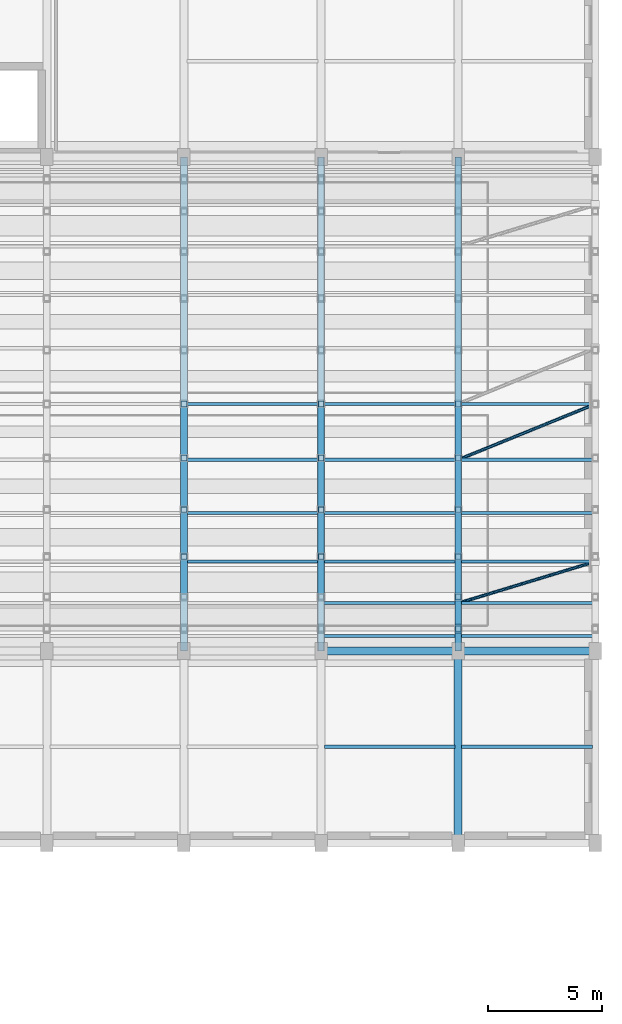
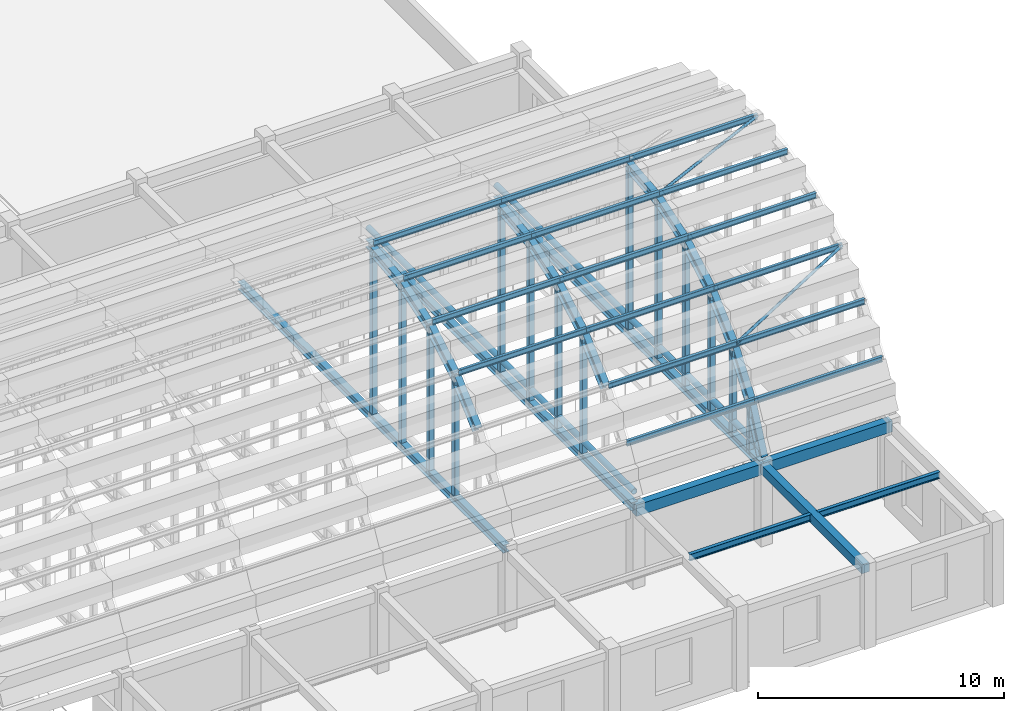
# One storey, part 8 of 46: 34 members, 22 beams.
"""IFC4 building model written with IfcOpenShell, lengths in metres."""

from ifc_helpers import new_model, si_unit, direction, frame, origin, origin_2d, place, context, subcontext, project, spatial, rectangle, hollow_rectangle, hollow_circle, i_section, extrude, material, material_profile, profile_set, type_object, element, save


model = new_model("IFC4")

# Units and contexts
model_context = context("Model", 3, precision=1e-05, world=origin(), true_north=direction((0.0, 1.0)))
body_context = subcontext(model_context, "Body", "Model", "MODEL_VIEW")
ifc_project = project(units=[si_unit("LENGTHUNIT", "METRE"), si_unit("AREAUNIT", "SQUARE_METRE"), si_unit("VOLUMEUNIT", "CUBIC_METRE"), si_unit("PLANEANGLEUNIT", "RADIAN"), si_unit("MASSUNIT", "GRAM", prefix="KILO")], contexts=[model_context])

# Site, building, storey
site_placement = place(None, origin())
site = spatial("IfcSite", under=ifc_project, at=site_placement, CompositionType="ELEMENT")
building_placement = place(site_placement, origin())
building = spatial("IfcBuilding", under=site, at=building_placement, Name="Tarnavel Promenade Courthouse", CompositionType="ELEMENT")
storey_placement = place(building_placement, frame((0.0, 0.0, 14.39990234375)))
storey = spatial("IfcBuildingStorey", under=building, at=storey_placement, Name="L04", CompositionType="ELEMENT", Elevation=14.39990234375)

# Beams
ifc_material_1 = material(Name="Concrete C40/50", Category="concrete")
ifc_material_profile_1 = material_profile(ifc_material_1, rectangle(XDim=0.35009765625, YDim=0.449951171875, at=origin_2d()), Name="RC 350x450")
ifc_profile_set_1 = profile_set([ifc_material_profile_1], Name="Concrete C40/50")
beam_type_1 = type_object("IfcBeamType", Name="Concrete C40/50 BM-RC-350x450 (RC 350x450)", PredefinedType="BEAM", material=ifc_profile_set_1)
beam_1_placement = place(storey_placement, frame((156.0, 28.800048828125, 3.72998046875), z_axis=(0.0, 1.0, 0.0), x_axis=(-1.0, 0.0, 0.0)))
element("IfcBeam", 1, at=beam_1_placement, inside=storey, type_object=beam_type_1, Name="L04 Transverse Girder 2129", PredefinedType="BEAM", context=body_context, shape_type="SweptSolid", body=[
    extrude(rectangle(XDim=0.35009765625, YDim=0.449951171875, at=origin_2d()), origin(), (0.0, 0.0, 1.0), 8.39990234375),
])
ifc_material_profile_2 = material_profile(ifc_material_1, rectangle(XDim=0.35009765625, YDim=0.550048828125, at=origin_2d()), Name="RC 350x550")
ifc_profile_set_2 = profile_set([ifc_material_profile_2], Name="Concrete C40/50")
beam_type_2 = type_object("IfcBeamType", Name="Concrete C40/50 BM-RC-350x550 (RC 350x550)", PredefinedType="BEAM", material=ifc_profile_set_2)
for number, where, z_axis, x_axis, name in (
    (2, (150.0, 37.199951171875, 3.68017578125), (1.0, 0.0, 0.0), (0.0, 1.0, 0.0), "L04 Primary Longitudinal Beam 1996"),
    (3, (156.0, 37.199951171875, 3.68017578125), (1.0, 0.0, 0.0), (0.0, 1.0, 0.0), "L04 Primary Longitudinal Beam 1997"),
):
    element("IfcBeam", number, at=place(storey_placement, frame(where, z_axis=z_axis, x_axis=x_axis)), inside=storey, type_object=beam_type_2, Name=name, PredefinedType="BEAM", context=body_context, shape_type="SweptSolid", body=[
        extrude(rectangle(XDim=0.35009765625, YDim=0.550048828125, at=origin_2d()), origin(), (0.0, 0.0, 1.0), 6.0),
    ])
ifc_material_2 = material(Name="Steel S355J2", Category="steel")
ifc_material_profile_3 = material_profile(ifc_material_2, i_section(OverallWidth=0.300048828125, OverallDepth=0.449951171875, WebThickness=0.013916015625, FlangeThickness=0.02587890625, FilletRadius=0.027099609375, at=origin_2d()), Name="HEB 450")
ifc_profile_set_3 = profile_set([ifc_material_profile_3], Name="Steel S355J2")
beam_type_3 = type_object("IfcBeamType", Name="Steel S355J2 BM-AR-HEB450 (HEB 450)", PredefinedType="T_BEAM", material=ifc_profile_set_3)
for number, where, z_axis, x_axis, name in (
    (4, (144.0, 39.56005859375, 8.291015625), (0.0, 0.742956629711, 0.669339559842), (-1.0, 0.0, 0.0), "V1 Barrel Vault Arch Rib 05 Chord 03"),
    (5, (144.0, 41.32421875, 9.88037109375), (0.0, 0.86595611672, 0.500119989518), (-1.0, 0.0, 0.0), "V1 Barrel Vault Arch Rib 05 Chord 04"),
    (6, (144.0, 43.38037109375, 11.06787109375), (0.0, 0.951041624123, 0.309062824012), (-1.0, 0.0, 0.0), "V1 Barrel Vault Arch Rib 05 Chord 05"),
):
    element("IfcBeam", number, at=place(storey_placement, frame(where, z_axis=z_axis, x_axis=x_axis)), inside=storey, type_object=beam_type_3, Name=name, PredefinedType="T_BEAM", context=body_context, shape_type="SweptSolid", body=[
        extrude(i_section(OverallWidth=0.300048828125, OverallDepth=0.449951171875, WebThickness=0.013916015625, FlangeThickness=0.02587890625, FilletRadius=0.027099609375, at=origin_2d()), origin(), (0.0, 0.0, 1.0), 2.37451171875),
    ])
beam_2_placement = place(storey_placement, frame((144.0, 45.638671875, 11.8017578125), z_axis=(0.0, 0.994517278414, 0.104572381322), x_axis=(-1.0, 0.0, 0.0)))
element("IfcBeam", 7, at=beam_2_placement, inside=storey, type_object=beam_type_3, Name="V1 Barrel Vault Arch Rib 05 Chord 06", PredefinedType="T_BEAM", context=body_context, shape_type="SweptSolid", body=[
    extrude(i_section(OverallWidth=0.300048828125, OverallDepth=0.449951171875, WebThickness=0.013916015625, FlangeThickness=0.02587890625, FilletRadius=0.027099609375, at=origin_2d()), origin(), (0.0, 0.0, 1.0), 2.374267578125),
])
for number, where, z_axis, x_axis, name in (
    (8, (150.0, 39.56005859375, 8.291015625), (0.0, 0.742956629711, 0.669339559842), (-1.0, 0.0, 0.0), "V1 Barrel Vault Arch Rib 06 Chord 03"),
    (9, (150.0, 41.32421875, 9.88037109375), (0.0, 0.86595611672, 0.500119989518), (-1.0, 0.0, 0.0), "V1 Barrel Vault Arch Rib 06 Chord 04"),
    (10, (150.0, 43.38037109375, 11.06787109375), (0.0, 0.951041624123, 0.309062824012), (-1.0, 0.0, 0.0), "V1 Barrel Vault Arch Rib 06 Chord 05"),
):
    element("IfcBeam", number, at=place(storey_placement, frame(where, z_axis=z_axis, x_axis=x_axis)), inside=storey, type_object=beam_type_3, Name=name, PredefinedType="T_BEAM", context=body_context, shape_type="SweptSolid", body=[
        extrude(i_section(OverallWidth=0.300048828125, OverallDepth=0.449951171875, WebThickness=0.013916015625, FlangeThickness=0.02587890625, FilletRadius=0.027099609375, at=origin_2d()), origin(), (0.0, 0.0, 1.0), 2.37451171875),
    ])
beam_3_placement = place(storey_placement, frame((150.0, 45.638671875, 11.8017578125), z_axis=(0.0, 0.994517278414, 0.104572381322), x_axis=(-1.0, 0.0, 0.0)))
element("IfcBeam", 11, at=beam_3_placement, inside=storey, type_object=beam_type_3, Name="V1 Barrel Vault Arch Rib 06 Chord 06", PredefinedType="T_BEAM", context=body_context, shape_type="SweptSolid", body=[
    extrude(i_section(OverallWidth=0.300048828125, OverallDepth=0.449951171875, WebThickness=0.013916015625, FlangeThickness=0.02587890625, FilletRadius=0.027099609375, at=origin_2d()), origin(), (0.0, 0.0, 1.0), 2.374267578125),
])
for number, where, z_axis, x_axis, name in (
    (12, (156.0, 37.199951171875, 4.2001953125), (0.0, 0.406453266448, 0.91367157239), (-1.0, 0.0, 0.0), "V1 Barrel Vault Arch Rib 07 Chord 01"),
    (13, (156.0, 38.1650390625, 6.36962890625), (0.0, 0.587523453946, 0.809207137304), (-1.0, 0.0, 0.0), "V1 Barrel Vault Arch Rib 07 Chord 02"),
    (14, (156.0, 39.56005859375, 8.291015625), (0.0, 0.742956629711, 0.669339559842), (-1.0, 0.0, 0.0), "V1 Barrel Vault Arch Rib 07 Chord 03"),
    (15, (156.0, 41.32421875, 9.88037109375), (0.0, 0.86595611672, 0.500119989518), (-1.0, 0.0, 0.0), "V1 Barrel Vault Arch Rib 07 Chord 04"),
    (16, (156.0, 43.38037109375, 11.06787109375), (0.0, 0.951041624123, 0.309062824012), (-1.0, 0.0, 0.0), "V1 Barrel Vault Arch Rib 07 Chord 05"),
):
    element("IfcBeam", number, at=place(storey_placement, frame(where, z_axis=z_axis, x_axis=x_axis)), inside=storey, type_object=beam_type_3, Name=name, PredefinedType="T_BEAM", context=body_context, shape_type="SweptSolid", body=[
        extrude(i_section(OverallWidth=0.300048828125, OverallDepth=0.449951171875, WebThickness=0.013916015625, FlangeThickness=0.02587890625, FilletRadius=0.027099609375, at=origin_2d()), origin(), (0.0, 0.0, 1.0), 2.37451171875),
    ])
beam_4_placement = place(storey_placement, frame((156.0, 45.638671875, 11.8017578125), z_axis=(0.0, 0.994517278414, 0.104572381322), x_axis=(-1.0, 0.0, 0.0)))
element("IfcBeam", 17, at=beam_4_placement, inside=storey, type_object=beam_type_3, Name="V1 Barrel Vault Arch Rib 07 Chord 06", PredefinedType="T_BEAM", context=body_context, shape_type="SweptSolid", body=[
    extrude(i_section(OverallWidth=0.300048828125, OverallDepth=0.449951171875, WebThickness=0.013916015625, FlangeThickness=0.02587890625, FilletRadius=0.027099609375, at=origin_2d()), origin(), (0.0, 0.0, 1.0), 2.374267578125),
])
ifc_material_profile_4 = material_profile(ifc_material_2, i_section(OverallWidth=0.300048828125, OverallDepth=0.39990234375, WebThickness=0.013427734375, FlangeThickness=0.02392578125, FilletRadius=0.027099609375, at=origin_2d()), Name="HEB 400")
ifc_profile_set_4 = profile_set([ifc_material_profile_4], Name="Steel S355J2")
beam_type_4 = type_object("IfcBeamType", Name="Steel S355J2 BM-ST-HEB400 (HEB 400)", PredefinedType="T_BEAM", material=ifc_profile_set_4)
for number, where, z_axis, x_axis, name in (
    (18, (144.0, 37.199951171875, 3.820068359375), (0.0, 1.0, 0.0), (-1.0, 0.0, 0.0), "V1 Barrel Vault Tie Girder 05"),
    (19, (150.0, 37.199951171875, 3.820068359375), (0.0, 1.0, 0.0), (-1.0, 0.0, 0.0), "V1 Barrel Vault Tie Girder 06"),
    (20, (156.0, 37.199951171875, 3.820068359375), (0.0, 1.0, 0.0), (-1.0, 0.0, 0.0), "V1 Barrel Vault Tie Girder 07"),
):
    element("IfcBeam", number, at=place(storey_placement, frame(where, z_axis=z_axis, x_axis=x_axis)), inside=storey, type_object=beam_type_4, Name=name, PredefinedType="T_BEAM", context=body_context, shape_type="SweptSolid", body=[
        extrude(i_section(OverallWidth=0.300048828125, OverallDepth=0.39990234375, WebThickness=0.013427734375, FlangeThickness=0.02392578125, FilletRadius=0.027099609375, at=origin_2d()), origin(), (0.0, 0.0, 1.0), 21.60009765625),
    ])
ifc_material_profile_5 = material_profile(ifc_material_2, i_section(OverallWidth=0.159912109375, OverallDepth=0.330078125, WebThickness=0.007568359375, FlangeThickness=0.011474609375, FilletRadius=0.01806640625, at=origin_2d()), Name="IPE 330")
ifc_profile_set_5 = profile_set([ifc_material_profile_5], Name="Steel S355J2")
beam_type_5 = type_object("IfcBeamType", Name="Steel S355J2 BM-ST-IPE330 (IPE 330)", PredefinedType="JOIST", material=ifc_profile_set_5)
beam_5_placement = place(storey_placement, frame((150.14501953125, 33.0, 3.7900390625), z_axis=(1.0, 0.0, 0.0), x_axis=(0.0, 1.0, 0.0)))
element("IfcBeam", 21, at=beam_5_placement, inside=storey, type_object=beam_type_5, Name="L04 Secondary Floor Rib 2199", PredefinedType="JOIST", context=body_context, shape_type="SweptSolid", body=[
    extrude(i_section(OverallWidth=0.159912109375, OverallDepth=0.330078125, WebThickness=0.007568359375, FlangeThickness=0.011474609375, FilletRadius=0.01806640625, at=origin_2d()), origin(), (0.0, 0.0, 1.0), 5.7099609375),
])
beam_6_placement = place(storey_placement, frame((156.14501953125, 33.0, 3.7900390625), z_axis=(1.0, 0.0, 0.0), x_axis=(0.0, 1.0, 0.0)))
element("IfcBeam", 22, at=beam_6_placement, inside=storey, type_object=beam_type_5, Name="L04 Secondary Floor Rib 2200", PredefinedType="JOIST", context=body_context, shape_type="SweptSolid", body=[
    extrude(i_section(OverallWidth=0.159912109375, OverallDepth=0.330078125, WebThickness=0.007568359375, FlangeThickness=0.011474609375, FilletRadius=0.01806640625, at=origin_2d()), origin(), (0.0, 0.0, 1.0), 5.73486328125),
])

# Members
ifc_material_profile_6 = material_profile(ifc_material_2, hollow_circle(Radius=0.06982421875, WallThickness=0.008056640625, at=origin_2d()), Name="CHS 139.7x8")
ifc_profile_set_6 = profile_set([ifc_material_profile_6], Name="Steel S355J2")
member_type_1 = type_object("IfcMemberType", Name="Steel S355J2 MEM-BR-CHS140 (CHS 139.7x8)", PredefinedType="BRACE", material=ifc_profile_set_6)
member_1_placement = place(storey_placement, frame((156.0, 39.284912109375, 8.53857421875), z_axis=(0.925695313139, 0.281068458115, 0.253157478825), x_axis=(-0.290532531252, 0.95686511499, 0.0)))
element("IfcMember", 23, at=member_1_placement, inside=storey, type_object=member_type_1, Name="V1 Barrel Vault Roof Brace 07-02", PredefinedType="BRACE", context=body_context, shape_type="SweptSolid", body=[
    extrude(hollow_circle(Radius=0.06982421875, WallThickness=0.008056640625, at=origin_2d()), origin(), (0.0, 0.0, 1.0), 6.481689453125),
])
member_2_placement = place(storey_placement, frame((156.16650390625, 45.62939453125, 12.1708984375), z_axis=(0.925700122117, 0.376184321828, 0.039555529618), x_axis=(-0.376478964134, 0.926425166737, 0.0)))
element("IfcMember", 24, at=member_2_placement, inside=storey, type_object=member_type_1, Name="V1 Barrel Vault Roof Brace 07-05", PredefinedType="BRACE", context=body_context, shape_type="SweptSolid", body=[
    extrude(hollow_circle(Radius=0.06982421875, WallThickness=0.008056640625, at=origin_2d()), origin(), (0.0, 0.0, 1.0), 6.3017578125),
])
ifc_material_profile_7 = material_profile(ifc_material_2, i_section(OverallWidth=0.135009765625, OverallDepth=0.27001953125, WebThickness=0.006591796875, FlangeThickness=0.01025390625, FilletRadius=0.014892578125, at=origin_2d()), Name="IPE 270")
ifc_profile_set_7 = profile_set([ifc_material_profile_7], Name="Steel S355J2")
member_type_2 = type_object("IfcMemberType", Name="Steel S355J2 MEM-PUR-IPE270 (IPE 270)", PredefinedType="PURLIN", material=ifc_profile_set_7)
for number, where, z_axis, x_axis, name in (
    (25, (144.0, 41.106689453125, 10.179443359375), (1.0, 0.0, 0.0), (0.0, 1.0, 0.0), "V1 Barrel Vault Purlin 05-03"),
    (26, (144.0, 43.229736328125, 11.40576171875), (1.0, 0.0, 0.0), (0.0, 1.0, 0.0), "V1 Barrel Vault Purlin 05-04"),
    (27, (144.0, 45.5615234375, 12.163818359375), (1.0, 0.0, 0.0), (0.0, 1.0, 0.0), "V1 Barrel Vault Purlin 05-05"),
    (28, (144.0, 48.0, 12.420166015625), (1.0, 0.0, 0.0), (0.0, 1.0, 0.0), "V1 Barrel Vault Purlin 05-06"),
    (29, (150.0, 37.844482421875, 6.554443359375), (1.0, 0.0, 0.0), (0.0, 1.0, 0.0), "V1 Barrel Vault Purlin 06-01"),
    (30, (150.0, 39.284912109375, 8.53857421875), (1.0, 0.0, 0.0), (0.0, 1.0, 0.0), "V1 Barrel Vault Purlin 06-02"),
    (31, (150.0, 41.106689453125, 10.179443359375), (1.0, 0.0, 0.0), (0.0, 1.0, 0.0), "V1 Barrel Vault Purlin 06-03"),
    (32, (150.0, 43.229736328125, 11.40576171875), (1.0, 0.0, 0.0), (0.0, 1.0, 0.0), "V1 Barrel Vault Purlin 06-04"),
    (33, (150.0, 45.5615234375, 12.163818359375), (1.0, 0.0, 0.0), (0.0, 1.0, 0.0), "V1 Barrel Vault Purlin 06-05"),
    (34, (150.0, 48.0, 12.420166015625), (1.0, 0.0, 0.0), (0.0, 1.0, 0.0), "V1 Barrel Vault Purlin 06-06"),
    (35, (156.0, 37.844482421875, 6.554443359375), (1.0, 0.0, 0.0), (0.0, 1.0, 0.0), "V1 Barrel Vault Purlin 07-01"),
    (36, (156.0, 39.284912109375, 8.53857421875), (1.0, 0.0, 0.0), (0.0, 1.0, 0.0), "V1 Barrel Vault Purlin 07-02"),
    (37, (156.0, 41.106689453125, 10.179443359375), (1.0, 0.0, 0.0), (0.0, 1.0, 0.0), "V1 Barrel Vault Purlin 07-03"),
    (38, (156.0, 43.229736328125, 11.40576171875), (1.0, 0.0, 0.0), (0.0, 1.0, 0.0), "V1 Barrel Vault Purlin 07-04"),
    (39, (156.0, 45.5615234375, 12.163818359375), (1.0, 0.0, 0.0), (0.0, 1.0, 0.0), "V1 Barrel Vault Purlin 07-05"),
    (40, (156.0, 48.0, 12.420166015625), (1.0, 0.0, 0.0), (0.0, 1.0, 0.0), "V1 Barrel Vault Purlin 07-06"),
):
    element("IfcMember", number, at=place(storey_placement, frame(where, z_axis=z_axis, x_axis=x_axis)), inside=storey, type_object=member_type_2, Name=name, PredefinedType="PURLIN", context=body_context, shape_type="SweptSolid", body=[
        extrude(i_section(OverallWidth=0.135009765625, OverallDepth=0.27001953125, WebThickness=0.006591796875, FlangeThickness=0.01025390625, FilletRadius=0.014892578125, at=origin_2d()), origin(), (0.0, 0.0, 1.0), 6.0),
    ])
ifc_material_profile_8 = material_profile(ifc_material_2, hollow_rectangle(XDim=0.25, YDim=0.25, WallThickness=0.012451171875, InnerFilletRadius=0.012451171875, OuterFilletRadius=0.02490234375, at=origin_2d()), Name="SHS 250x250x12.5")
ifc_profile_set_8 = profile_set([ifc_material_profile_8], Name="Steel S355J2")
member_type_3 = type_object("IfcMemberType", Name="Steel S355J2 MEM-STR-SHS250 (SHS 250x250x12.5)", PredefinedType="STRUT", material=ifc_profile_set_8)
member_3_placement = place(storey_placement, frame((144.0, 41.32421875, 3.820068359375), z_axis=(0.0, 0.0, 1.0), x_axis=(1.0, 0.0, 0.0)))
element("IfcMember", 41, at=member_3_placement, inside=storey, type_object=member_type_3, Name="V1 Vault Arch Web Strut 05-03", PredefinedType="STRUT", context=body_context, shape_type="SweptSolid", body=[
    extrude(hollow_rectangle(XDim=0.25, YDim=0.25, WallThickness=0.012451171875, InnerFilletRadius=0.012451171875, OuterFilletRadius=0.02490234375, at=origin_2d()), origin(), (0.0, 0.0, 1.0), 6.060302734375),
])
member_4_placement = place(storey_placement, frame((144.0, 43.38037109375, 3.820068359375), z_axis=(0.0, 0.0, 1.0), x_axis=(1.0, 0.0, 0.0)))
element("IfcMember", 42, at=member_4_placement, inside=storey, type_object=member_type_3, Name="V1 Vault Arch Web Strut 05-04", PredefinedType="STRUT", context=body_context, shape_type="SweptSolid", body=[
    extrude(hollow_rectangle(XDim=0.25, YDim=0.25, WallThickness=0.012451171875, InnerFilletRadius=0.012451171875, OuterFilletRadius=0.02490234375, at=origin_2d()), origin(), (0.0, 0.0, 1.0), 7.247802734375),
])
member_5_placement = place(storey_placement, frame((144.0, 45.638671875, 3.820068359375), z_axis=(0.0, 0.0, 1.0), x_axis=(1.0, 0.0, 0.0)))
element("IfcMember", 43, at=member_5_placement, inside=storey, type_object=member_type_3, Name="V1 Vault Arch Web Strut 05-05", PredefinedType="STRUT", context=body_context, shape_type="SweptSolid", body=[
    extrude(hollow_rectangle(XDim=0.25, YDim=0.25, WallThickness=0.012451171875, InnerFilletRadius=0.012451171875, OuterFilletRadius=0.02490234375, at=origin_2d()), origin(), (0.0, 0.0, 1.0), 7.981689453125),
])
member_6_placement = place(storey_placement, frame((144.0, 48.0, 3.820068359375), z_axis=(0.0, 0.0, 1.0), x_axis=(1.0, 0.0, 0.0)))
element("IfcMember", 44, at=member_6_placement, inside=storey, type_object=member_type_3, Name="V1 Vault Arch Web Strut 05-06", PredefinedType="STRUT", context=body_context, shape_type="SweptSolid", body=[
    extrude(hollow_rectangle(XDim=0.25, YDim=0.25, WallThickness=0.012451171875, InnerFilletRadius=0.012451171875, OuterFilletRadius=0.02490234375, at=origin_2d()), origin(), (0.0, 0.0, 1.0), 8.22998046875),
])
member_7_placement = place(storey_placement, frame((150.0, 41.32421875, 3.820068359375), z_axis=(0.0, 0.0, 1.0), x_axis=(1.0, 0.0, 0.0)))
element("IfcMember", 45, at=member_7_placement, inside=storey, type_object=member_type_3, Name="V1 Vault Arch Web Strut 06-03", PredefinedType="STRUT", context=body_context, shape_type="SweptSolid", body=[
    extrude(hollow_rectangle(XDim=0.25, YDim=0.25, WallThickness=0.012451171875, InnerFilletRadius=0.012451171875, OuterFilletRadius=0.02490234375, at=origin_2d()), origin(), (0.0, 0.0, 1.0), 6.060302734375),
])
member_8_placement = place(storey_placement, frame((150.0, 43.38037109375, 3.820068359375), z_axis=(0.0, 0.0, 1.0), x_axis=(1.0, 0.0, 0.0)))
element("IfcMember", 46, at=member_8_placement, inside=storey, type_object=member_type_3, Name="V1 Vault Arch Web Strut 06-04", PredefinedType="STRUT", context=body_context, shape_type="SweptSolid", body=[
    extrude(hollow_rectangle(XDim=0.25, YDim=0.25, WallThickness=0.012451171875, InnerFilletRadius=0.012451171875, OuterFilletRadius=0.02490234375, at=origin_2d()), origin(), (0.0, 0.0, 1.0), 7.247802734375),
])
member_9_placement = place(storey_placement, frame((150.0, 45.638671875, 3.820068359375), z_axis=(0.0, 0.0, 1.0), x_axis=(1.0, 0.0, 0.0)))
element("IfcMember", 47, at=member_9_placement, inside=storey, type_object=member_type_3, Name="V1 Vault Arch Web Strut 06-05", PredefinedType="STRUT", context=body_context, shape_type="SweptSolid", body=[
    extrude(hollow_rectangle(XDim=0.25, YDim=0.25, WallThickness=0.012451171875, InnerFilletRadius=0.012451171875, OuterFilletRadius=0.02490234375, at=origin_2d()), origin(), (0.0, 0.0, 1.0), 7.981689453125),
])
member_10_placement = place(storey_placement, frame((150.0, 48.0, 3.820068359375), z_axis=(0.0, 0.0, 1.0), x_axis=(1.0, 0.0, 0.0)))
element("IfcMember", 48, at=member_10_placement, inside=storey, type_object=member_type_3, Name="V1 Vault Arch Web Strut 06-06", PredefinedType="STRUT", context=body_context, shape_type="SweptSolid", body=[
    extrude(hollow_rectangle(XDim=0.25, YDim=0.25, WallThickness=0.012451171875, InnerFilletRadius=0.012451171875, OuterFilletRadius=0.02490234375, at=origin_2d()), origin(), (0.0, 0.0, 1.0), 8.22998046875),
])
member_11_placement = place(storey_placement, frame((156.0, 38.1650390625, 3.820068359375), z_axis=(0.0, 0.0, 1.0), x_axis=(1.0, 0.0, 0.0)))
element("IfcMember", 49, at=member_11_placement, inside=storey, type_object=member_type_3, Name="V1 Vault Arch Web Strut 07-01", PredefinedType="STRUT", context=body_context, shape_type="SweptSolid", body=[
    extrude(hollow_rectangle(XDim=0.25, YDim=0.25, WallThickness=0.012451171875, InnerFilletRadius=0.012451171875, OuterFilletRadius=0.02490234375, at=origin_2d()), origin(), (0.0, 0.0, 1.0), 2.549560546875),
])
member_12_placement = place(storey_placement, frame((156.0, 39.56005859375, 3.820068359375), z_axis=(0.0, 0.0, 1.0), x_axis=(1.0, 0.0, 0.0)))
element("IfcMember", 50, at=member_12_placement, inside=storey, type_object=member_type_3, Name="V1 Vault Arch Web Strut 07-02", PredefinedType="STRUT", context=body_context, shape_type="SweptSolid", body=[
    extrude(hollow_rectangle(XDim=0.25, YDim=0.25, WallThickness=0.012451171875, InnerFilletRadius=0.012451171875, OuterFilletRadius=0.02490234375, at=origin_2d()), origin(), (0.0, 0.0, 1.0), 4.470947265625),
])
member_13_placement = place(storey_placement, frame((156.0, 41.32421875, 3.820068359375), z_axis=(0.0, 0.0, 1.0), x_axis=(1.0, 0.0, 0.0)))
element("IfcMember", 51, at=member_13_placement, inside=storey, type_object=member_type_3, Name="V1 Vault Arch Web Strut 07-03", PredefinedType="STRUT", context=body_context, shape_type="SweptSolid", body=[
    extrude(hollow_rectangle(XDim=0.25, YDim=0.25, WallThickness=0.012451171875, InnerFilletRadius=0.012451171875, OuterFilletRadius=0.02490234375, at=origin_2d()), origin(), (0.0, 0.0, 1.0), 6.060302734375),
])
member_14_placement = place(storey_placement, frame((156.0, 43.38037109375, 3.820068359375), z_axis=(0.0, 0.0, 1.0), x_axis=(1.0, 0.0, 0.0)))
element("IfcMember", 52, at=member_14_placement, inside=storey, type_object=member_type_3, Name="V1 Vault Arch Web Strut 07-04", PredefinedType="STRUT", context=body_context, shape_type="SweptSolid", body=[
    extrude(hollow_rectangle(XDim=0.25, YDim=0.25, WallThickness=0.012451171875, InnerFilletRadius=0.012451171875, OuterFilletRadius=0.02490234375, at=origin_2d()), origin(), (0.0, 0.0, 1.0), 7.247802734375),
])
member_15_placement = place(storey_placement, frame((156.0, 45.638671875, 3.820068359375), z_axis=(0.0, 0.0, 1.0), x_axis=(1.0, 0.0, 0.0)))
element("IfcMember", 53, at=member_15_placement, inside=storey, type_object=member_type_3, Name="V1 Vault Arch Web Strut 07-05", PredefinedType="STRUT", context=body_context, shape_type="SweptSolid", body=[
    extrude(hollow_rectangle(XDim=0.25, YDim=0.25, WallThickness=0.012451171875, InnerFilletRadius=0.012451171875, OuterFilletRadius=0.02490234375, at=origin_2d()), origin(), (0.0, 0.0, 1.0), 7.981689453125),
])
member_16_placement = place(storey_placement, frame((156.0, 48.0, 3.820068359375), z_axis=(0.0, 0.0, 1.0), x_axis=(1.0, 0.0, 0.0)))
element("IfcMember", 54, at=member_16_placement, inside=storey, type_object=member_type_3, Name="V1 Vault Arch Web Strut 07-06", PredefinedType="STRUT", context=body_context, shape_type="SweptSolid", body=[
    extrude(hollow_rectangle(XDim=0.25, YDim=0.25, WallThickness=0.012451171875, InnerFilletRadius=0.012451171875, OuterFilletRadius=0.02490234375, at=origin_2d()), origin(), (0.0, 0.0, 1.0), 8.22998046875),
])
ifc_material_profile_9 = material_profile(ifc_material_2, hollow_circle(Radius=0.136474609375, WallThickness=0.012451171875, at=origin_2d()), Name="CHS 273x12.5")
ifc_profile_set_9 = profile_set([ifc_material_profile_9], Name="Steel S355J2")
member_type_4 = type_object("IfcMemberType", Name="Steel S355J2 MEM-TIE-CHS273 (CHS 273x12.5)", PredefinedType="CHORD", material=ifc_profile_set_9)
for number, where, z_axis, x_axis, name in (
    (55, (150.0, 37.199951171875, 4.5400390625), (0.0, 1.0, 0.0), (-1.0, 0.0, 0.0), "V1 Barrel Vault Springline Tie Rod 06"),
    (56, (156.0, 37.199951171875, 4.5400390625), (0.0, 1.0, 0.0), (-1.0, 0.0, 0.0), "V1 Barrel Vault Springline Tie Rod 07"),
):
    element("IfcMember", number, at=place(storey_placement, frame(where, z_axis=z_axis, x_axis=x_axis)), inside=storey, type_object=member_type_4, Name=name, PredefinedType="CHORD", context=body_context, shape_type="SweptSolid", body=[
        extrude(hollow_circle(Radius=0.136474609375, WallThickness=0.012451171875, at=origin_2d()), origin(), (0.0, 0.0, 1.0), 21.60009765625),
    ])

save(model, "model.ifc")
